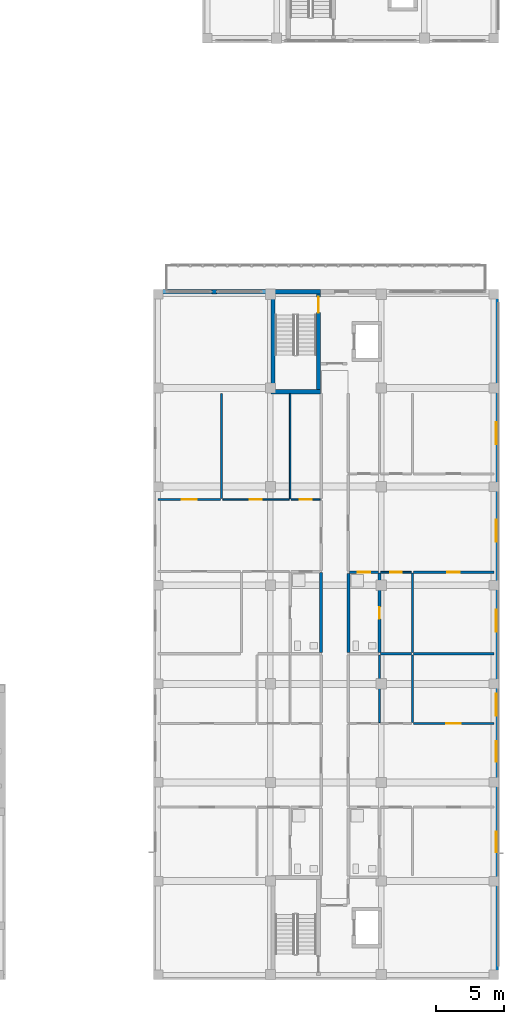
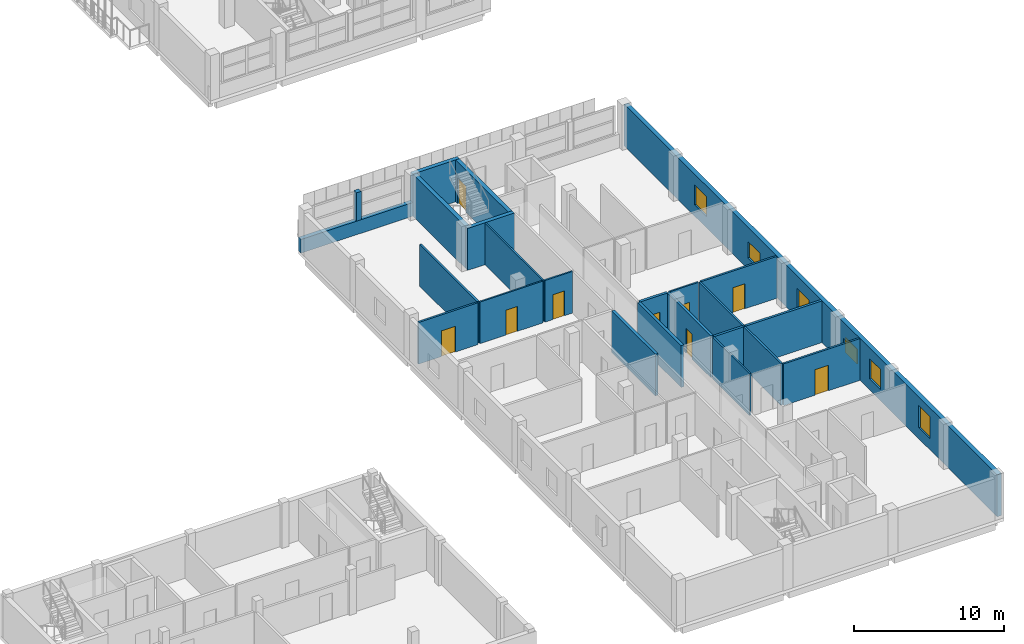
# One storey, part 48 of 73: 24 walls, 9 doors, 6 windows, 15 openings.
"""IFC4 building model written with IfcOpenShell, lengths in metres."""

from ifc_helpers import new_model, si_unit, derived_unit, direction, frame, frame_2d, origin, place, context, subcontext, project, spatial, rectangle, extrude, material, layer, layer_set, type_object, element, fill, save


model = new_model("IFC4")

# Units and contexts
model_context = context("Model", 3, precision=1e-05, world=origin(), true_north=direction((0.0, 1.0)))
body_context = subcontext(model_context, "Body", "Model", "MODEL_VIEW")
ifc_project = project(units=[si_unit("LENGTHUNIT", "METRE"), si_unit("AREAUNIT", "SQUARE_METRE"), si_unit("VOLUMEUNIT", "CUBIC_METRE"), si_unit("PLANEANGLEUNIT", "RADIAN"), si_unit("MASSUNIT", "GRAM", prefix="KILO"), derived_unit("THERMALTRANSMITTANCEUNIT", [(si_unit("MASSUNIT", "GRAM", prefix="KILO"), 1), (si_unit("TIMEUNIT", "SECOND"), -3), (si_unit("THERMODYNAMICTEMPERATUREUNIT", "KELVIN"), -1)])], contexts=[model_context])

# Site, building, storey
site_placement = place(None, origin())
site = spatial("IfcSite", under=ifc_project, at=site_placement, CompositionType="ELEMENT")
building_placement = place(site_placement, origin())
building = spatial("IfcBuilding", under=site, at=building_placement, Name="Ochrekiln Boulevard Commons", CompositionType="ELEMENT")
storey_placement = place(building_placement, frame((0.0, 0.0, 4.89990234375)))
storey = spatial("IfcBuildingStorey", under=building, at=storey_placement, Name="L01", CompositionType="ELEMENT", Elevation=4.89990234375)

# Wall, openings, windows
ifc_material_1 = material(Name="Desert ochre clinker brick masonry ASTM C216 Grade SW", Category="masonry")
ifc_layer_1 = layer(ifc_material_1, 0.330078125)
ifc_layer_set_1 = layer_set([ifc_layer_1], Name="Desert ochre clinker brick masonry ASTM C216 Grade SW")
wall_type_1 = type_object("IfcWallType", Name="WL-EXT-OCHRE-330", PredefinedType="SOLIDWALL", material=ifc_layer_set_1)
wall_1_placement = place(storey_placement, frame((172.635009765625, 0.330078125, 0.0), z_axis=(0.0, 0.0, 1.0), x_axis=(0.0, 1.0, 0.0)))
wall_1 = element("IfcWall", 1, at=wall_1_placement, inside=storey, type_object=wall_type_1, Name="Block C L01 E Exterior Wall", PredefinedType="SOLIDWALL", context=body_context, shape_type="SweptSolid", body=[
    extrude(rectangle(XDim=49.739990234375, YDim=0.330078125, at=frame_2d((24.8701171875, 0.0))), origin(), (0.0, 0.0, 1.0), 3.4150390625),
])
opening_1_placement = place(wall_1_placement, frame((15.580078125, 0.0, 0.89990234375)))
opening_1 = element("IfcOpeningElement", 2, at=opening_1_placement, cuts=wall_1, Name="Opening W-29", PredefinedType="OPENING", context=body_context, shape_type="SweptSolid", body=[
    extrude(rectangle(XDim=1.47998046875, YDim=1.64990234375, at=frame_2d((0.739990234375, 0.824951171875))), frame((0.0, 0.175048828125, 0.0), z_axis=(0.0, -1.0, 0.0), x_axis=(1.0, 0.0, 0.0)), (0.0, 0.0, 1.0), 0.35009765625),
])
opening_2_placement = place(wall_1_placement, frame((8.986083984375, 0.0, 0.89990234375)))
opening_2 = element("IfcOpeningElement", 3, at=opening_2_placement, cuts=wall_1, Name="Opening W-30", PredefinedType="OPENING", context=body_context, shape_type="SweptSolid", body=[
    extrude(rectangle(XDim=1.47998046875, YDim=1.800048828125, at=frame_2d((0.739990234375, 0.89990234375))), frame((0.0, 0.175048828125, 0.0), z_axis=(0.0, -1.0, 0.0), x_axis=(1.0, 0.0, 0.0)), (0.0, 0.0, 1.0), 0.35009765625),
])
opening_3_placement = place(wall_1_placement, frame((18.929931640625, 0.0, 0.89990234375)))
opening_3 = element("IfcOpeningElement", 4, at=opening_3_placement, cuts=wall_1, Name="Opening W-31", PredefinedType="OPENING", context=body_context, shape_type="SweptSolid", body=[
    extrude(rectangle(XDim=1.60009765625, YDim=1.199951171875, at=frame_2d((0.800048828125, 0.60009765625))), frame((0.0, 0.175048828125, 0.0), z_axis=(0.0, -1.0, 0.0), x_axis=(1.0, 0.0, 0.0)), (0.0, 0.0, 1.0), 0.35009765625),
])
opening_4_placement = place(wall_1_placement, frame((31.64794921875, 0.0, 0.89990234375)))
opening_4 = element("IfcOpeningElement", 5, at=opening_4_placement, cuts=wall_1, Name="Opening W-32", PredefinedType="OPENING", context=body_context, shape_type="SweptSolid", body=[
    extrude(rectangle(XDim=1.60009765625, YDim=1.35009765625, at=frame_2d((0.800048828125, 0.675048828125))), frame((0.0, 0.175048828125, 0.0), z_axis=(0.0, -1.0, 0.0), x_axis=(1.0, 0.0, 0.0)), (0.0, 0.0, 1.0), 0.35009765625),
])
opening_5_placement = place(wall_1_placement, frame((25.075927734375, 0.0, 0.89990234375)))
opening_5 = element("IfcOpeningElement", 6, at=opening_5_placement, cuts=wall_1, Name="Opening W-33", PredefinedType="OPENING", context=body_context, shape_type="SweptSolid", body=[
    extrude(rectangle(XDim=1.60009765625, YDim=1.5, at=frame_2d((0.800048828125, 0.75))), frame((0.0, 0.175048828125, 0.0), z_axis=(0.0, -1.0, 0.0), x_axis=(1.0, 0.0, 0.0)), (0.0, 0.0, 1.0), 0.35009765625),
])
opening_6_placement = place(wall_1_placement, frame((38.778076171875, 0.0, 0.89990234375)))
opening_6 = element("IfcOpeningElement", 7, at=opening_6_placement, cuts=wall_1, Name="Opening W-34", PredefinedType="OPENING", context=body_context, shape_type="SweptSolid", body=[
    extrude(rectangle(XDim=1.60009765625, YDim=1.64990234375, at=frame_2d((0.800048828125, 0.824951171875))), frame((0.0, 0.175048828125, 0.0), z_axis=(0.0, -1.0, 0.0), x_axis=(1.0, 0.0, 0.0)), (0.0, 0.0, 1.0), 0.35009765625),
])
ifc_material_2 = material(Name="Thermally broken aluminium-clad oak frame", Category="aluminium")
window_type_1 = type_object("IfcWindowType", Name="WIN-EXT-29", PartitioningType="SINGLE_PANEL", PredefinedType="WINDOW", material=ifc_material_2)
window_1_placement = place(opening_1_placement, origin())
window_1 = element("IfcWindow", 8, at=window_1_placement, inside=storey, type_object=window_type_1, Name="Block C L01 Punched Masonry Window W-29", OverallHeight=1.64990234375, OverallWidth=1.47998046875, PartitioningType="SINGLE_PANEL", PredefinedType="WINDOW", context=body_context, shape_type="SweptSolid", body=[
    extrude(rectangle(XDim=1.47998046875, YDim=1.64990234375, at=frame_2d((0.739990234375, 0.824951171875))), frame((0.0, 0.030029296875, 0.0), z_axis=(0.0, -1.0, 0.0), x_axis=(1.0, 0.0, 0.0)), (0.0, 0.0, 1.0), 0.06005859375),
])
fill(opening_1, window_1)
window_type_2 = type_object("IfcWindowType", Name="WIN-EXT-30", PartitioningType="SINGLE_PANEL", PredefinedType="WINDOW", material=ifc_material_2)
window_2_placement = place(opening_2_placement, origin())
window_2 = element("IfcWindow", 9, at=window_2_placement, inside=storey, type_object=window_type_2, Name="Block C L01 Punched Masonry Window W-30", OverallHeight=1.800048828125, OverallWidth=1.47998046875, PartitioningType="SINGLE_PANEL", PredefinedType="WINDOW", context=body_context, shape_type="SweptSolid", body=[
    extrude(rectangle(XDim=1.47998046875, YDim=1.800048828125, at=frame_2d((0.739990234375, 0.89990234375))), frame((0.0, 0.030029296875, 0.0), z_axis=(0.0, -1.0, 0.0), x_axis=(1.0, 0.0, 0.0)), (0.0, 0.0, 1.0), 0.06005859375),
])
fill(opening_2, window_2)
window_type_3 = type_object("IfcWindowType", Name="WIN-EXT-31", PartitioningType="DOUBLE_PANEL_VERTICAL", PredefinedType="WINDOW", material=ifc_material_2)
window_3_placement = place(opening_3_placement, origin())
window_3 = element("IfcWindow", 10, at=window_3_placement, inside=storey, type_object=window_type_3, Name="Block C L01 Punched Masonry Window W-31", OverallHeight=1.199951171875, OverallWidth=1.60009765625, PartitioningType="DOUBLE_PANEL_VERTICAL", PredefinedType="WINDOW", context=body_context, shape_type="SweptSolid", body=[
    extrude(rectangle(XDim=1.60009765625, YDim=1.199951171875, at=frame_2d((0.800048828125, 0.60009765625))), frame((0.0, 0.030029296875, 0.0), z_axis=(0.0, -1.0, 0.0), x_axis=(1.0, 0.0, 0.0)), (0.0, 0.0, 1.0), 0.06005859375),
])
fill(opening_3, window_3)
window_type_4 = type_object("IfcWindowType", Name="WIN-EXT-32", PartitioningType="DOUBLE_PANEL_VERTICAL", PredefinedType="WINDOW", material=ifc_material_2)
window_4_placement = place(opening_4_placement, origin())
window_4 = element("IfcWindow", 11, at=window_4_placement, inside=storey, type_object=window_type_4, Name="Block C L01 Punched Masonry Window W-32", OverallHeight=1.35009765625, OverallWidth=1.60009765625, PartitioningType="DOUBLE_PANEL_VERTICAL", PredefinedType="WINDOW", context=body_context, shape_type="SweptSolid", body=[
    extrude(rectangle(XDim=1.60009765625, YDim=1.35009765625, at=frame_2d((0.800048828125, 0.675048828125))), frame((0.0, 0.030029296875, 0.0), z_axis=(0.0, -1.0, 0.0), x_axis=(1.0, 0.0, 0.0)), (0.0, 0.0, 1.0), 0.06005859375),
])
fill(opening_4, window_4)
window_type_5 = type_object("IfcWindowType", Name="WIN-EXT-33", PartitioningType="DOUBLE_PANEL_VERTICAL", PredefinedType="WINDOW", material=ifc_material_2)
window_5_placement = place(opening_5_placement, origin())
window_5 = element("IfcWindow", 12, at=window_5_placement, inside=storey, type_object=window_type_5, Name="Block C L01 Punched Masonry Window W-33", OverallHeight=1.5, OverallWidth=1.60009765625, PartitioningType="DOUBLE_PANEL_VERTICAL", PredefinedType="WINDOW", context=body_context, shape_type="SweptSolid", body=[
    extrude(rectangle(XDim=1.60009765625, YDim=1.5, at=frame_2d((0.800048828125, 0.75))), frame((0.0, 0.030029296875, 0.0), z_axis=(0.0, -1.0, 0.0), x_axis=(1.0, 0.0, 0.0)), (0.0, 0.0, 1.0), 0.06005859375),
])
fill(opening_5, window_5)
window_type_6 = type_object("IfcWindowType", Name="WIN-EXT-34", PartitioningType="DOUBLE_PANEL_VERTICAL", PredefinedType="WINDOW", material=ifc_material_2)
window_6_placement = place(opening_6_placement, origin())
window_6 = element("IfcWindow", 13, at=window_6_placement, inside=storey, type_object=window_type_6, Name="Block C L01 Punched Masonry Window W-34", OverallHeight=1.64990234375, OverallWidth=1.60009765625, PartitioningType="DOUBLE_PANEL_VERTICAL", PredefinedType="WINDOW", context=body_context, shape_type="SweptSolid", body=[
    extrude(rectangle(XDim=1.60009765625, YDim=1.64990234375, at=frame_2d((0.800048828125, 0.824951171875))), frame((0.0, 0.030029296875, 0.0), z_axis=(0.0, -1.0, 0.0), x_axis=(1.0, 0.0, 0.0)), (0.0, 0.0, 1.0), 0.06005859375),
])
fill(opening_6, window_6)

# Walls
wall_2_placement = place(storey_placement, frame((151.8701171875, 50.235107421875, 1.110107421875), z_axis=(0.0, 0.0, 1.0), x_axis=(1.0, 0.0, 0.0)))
element("IfcWall", 14, at=wall_2_placement, inside=storey, type_object=wall_type_1, Name="Block C L01 Courtyard Gable Mullion Pier", PredefinedType="SOLIDWALL", context=body_context, shape_type="SweptSolid", body=[
    extrude(rectangle(XDim=0.35986328125, YDim=0.330078125, at=frame_2d((0.179931640625, 0.0))), origin(), (0.0, 0.0, 1.0), 2.304931640625),
])
wall_3_placement = place(storey_placement, frame((147.60009765625, 50.235107421875, 0.0), z_axis=(0.0, 0.0, 1.0), x_axis=(1.0, 0.0, 0.0)))
element("IfcWall", 15, at=wall_3_placement, inside=storey, type_object=wall_type_1, Name="Block C L01 Courtyard Gable Sill Wall L", PredefinedType="SOLIDWALL", context=body_context, shape_type="SweptSolid", body=[
    extrude(rectangle(XDim=8.599853515625, YDim=0.330078125, at=frame_2d((4.2998046875, 0.0))), origin(), (0.0, 0.0, 1.0), 1.110107421875),
])

# Wall, opening, door
ifc_material_3 = material(Name="Moisture-resistant cementitious tile backer wall")
ifc_layer_2 = layer(ifc_material_3, 0.199951171875)
ifc_layer_set_2 = layer_set([ifc_layer_2], Name="Moisture-resistant cementitious tile backer wall")
wall_type_2 = type_object("IfcWallType", Name="WL-PLM-200", PredefinedType="PLUMBINGWALL", material=ifc_layer_set_2)
wall_4_placement = place(storey_placement, frame((161.923095703125, 29.7470703125, 0.0), z_axis=(0.0, 0.0, 1.0), x_axis=(1.0, 0.0, 0.0)))
wall_4 = element("IfcWall", 16, at=wall_4_placement, inside=storey, type_object=wall_type_2, Name="L01 Interior Wall W-PW200", PredefinedType="PLUMBINGWALL", context=body_context, shape_type="SweptSolid", body=[
    extrude(rectangle(XDim=2.10693359375, YDim=0.199951171875, at=frame_2d((1.053466796875, 0.0))), origin(), (0.0, 0.0, 1.0), 3.39501953125),
])
opening_7_placement = place(wall_4_placement, frame((0.612060546875, 0.0, 0.0)))
opening_7 = element("IfcOpeningElement", 17, at=opening_7_placement, cuts=wall_4, Name="Opening D-L01-234", PredefinedType="OPENING", context=body_context, shape_type="SweptSolid", body=[
    extrude(rectangle(XDim=0.889892578125, YDim=2.030029296875, at=frame_2d((0.44482421875, 1.01513671875))), frame((0.0, 0.10986328125, 0.0), z_axis=(0.0, -1.0, 0.0), x_axis=(1.0, 0.0, 0.0)), (0.0, 0.0, 1.0), 0.219970703125),
])
ifc_material_4 = material(Name="Solid core architectural oak door leaf")
door_type_1 = type_object("IfcDoorType", Name="DR-INT-BTH-089", OperationType="NOTDEFINED", PredefinedType="DOOR", material=ifc_material_4)
door_1_placement = place(opening_7_placement, frame((0.889892578125, 0.0, 0.0), z_axis=(0.0, 0.0, 1.0), x_axis=(-1.0, 0.0, 0.0)))
door_1 = element("IfcDoor", 18, at=door_1_placement, inside=storey, type_object=door_type_1, Name="L01 Interior Door to Apartment Bathroom", OperationType="SINGLE_SWING_RIGHT", OverallHeight=2.030029296875, OverallWidth=0.889892578125, PredefinedType="DOOR", context=body_context, shape_type="SweptSolid", body=[
    extrude(rectangle(XDim=0.889892578125, YDim=2.030029296875, at=frame_2d((0.44482421875, 1.01513671875))), frame((0.0, 0.02490234375, 0.0), z_axis=(0.0, -1.0, 0.0), x_axis=(1.0, 0.0, 0.0)), (0.0, 0.0, 1.0), 0.050048828125),
])
fill(opening_7, door_1)

wall_5_placement = place(storey_placement, frame((164.110107421875, 23.882080078125, 0.0), z_axis=(0.0, 0.0, 1.0), x_axis=(0.0, 1.0, 0.0)))
wall_5 = element("IfcWall", 19, at=wall_5_placement, inside=storey, type_object=wall_type_2, Name="L01 Interior Wall W-PW200", PredefinedType="PLUMBINGWALL", context=body_context, shape_type="SweptSolid", body=[
    extrude(rectangle(XDim=5.804931640625, YDim=0.199951171875, at=frame_2d((2.90234375, 0.0))), origin(), (0.0, 0.0, 1.0), 3.39501953125),
])
opening_8_placement = place(wall_5_placement, frame((2.468017578125, 0.0, 0.0)))
opening_8 = element("IfcOpeningElement", 20, at=opening_8_placement, cuts=wall_5, Name="Opening D-L01-240", PredefinedType="OPENING", context=body_context, shape_type="SweptSolid", body=[
    extrude(rectangle(XDim=0.85009765625, YDim=2.010009765625, at=frame_2d((0.425048828125, 1.0048828125))), frame((0.0, 0.10986328125, 0.0), z_axis=(0.0, -1.0, 0.0), x_axis=(1.0, 0.0, 0.0)), (0.0, 0.0, 1.0), 0.219970703125),
])
door_type_2 = type_object("IfcDoorType", Name="DR-INT-KIT-085", OperationType="NOTDEFINED", PredefinedType="DOOR", material=ifc_material_4)
door_2_placement = place(opening_8_placement, origin())
door_2 = element("IfcDoor", 21, at=door_2_placement, inside=storey, type_object=door_type_2, Name="L01 Interior Door to Apartment Bathroom", OperationType="SINGLE_SWING_RIGHT", OverallHeight=2.010009765625, OverallWidth=0.85009765625, PredefinedType="DOOR", context=body_context, shape_type="SweptSolid", body=[
    extrude(rectangle(XDim=0.85009765625, YDim=2.010009765625, at=frame_2d((0.425048828125, 1.0048828125))), frame((0.0, 0.02490234375, 0.0), z_axis=(0.0, -1.0, 0.0), x_axis=(1.0, 0.0, 0.0)), (0.0, 0.0, 1.0), 0.050048828125),
])
fill(opening_8, door_2)

# Walls
ifc_layer_3 = layer(ifc_material_3, 0.219970703125)
ifc_layer_set_3 = layer_set([ifc_layer_3], Name="Moisture-resistant cementitious tile backer wall")
wall_type_3 = type_object("IfcWallType", Name="WL-PLM-220", PredefinedType="PLUMBINGWALL", material=ifc_layer_set_3)
wall_6_placement = place(storey_placement, frame((159.860107421875, 23.882080078125, 0.0), z_axis=(0.0, 0.0, 1.0), x_axis=(0.0, 1.0, 0.0)))
element("IfcWall", 22, at=wall_6_placement, inside=storey, type_object=wall_type_3, Name="L01 Interior Wall W-PW220", PredefinedType="PLUMBINGWALL", context=body_context, shape_type="SweptSolid", body=[
    extrude(rectangle(XDim=5.829833984375, YDim=0.219970703125, at=frame_2d((2.9150390625, 0.0))), origin(), (0.0, 0.0, 1.0), 3.39501953125),
])
wall_7_placement = place(storey_placement, frame((161.840087890625, 23.882080078125, 0.0), z_axis=(0.0, 0.0, 1.0), x_axis=(0.0, 1.0, 0.0)))
element("IfcWall", 23, at=wall_7_placement, inside=storey, type_object=wall_type_3, Name="L01 Interior Wall W-PW220", PredefinedType="PLUMBINGWALL", context=body_context, shape_type="SweptSolid", body=[
    extrude(rectangle(XDim=5.784912109375, YDim=0.219970703125, at=frame_2d((2.892578125, 0.0))), origin(), (0.0, 0.0, 1.0), 3.39501953125),
])
ifc_material_5 = material(Name="Fire-rated Type X gypsum board on steel studs", Category="steel")
ifc_layer_4 = layer(ifc_material_5, 0.179931640625)
ifc_layer_set_4 = layer_set([ifc_layer_4], Name="Fire-rated Type X gypsum board on steel studs")
wall_type_4 = type_object("IfcWallType", Name="WL-PT-DEM-180", PredefinedType="PARTITIONING", material=ifc_layer_set_4)
wall_8_placement = place(storey_placement, frame((166.60009765625, 23.7919921875, 0.0), z_axis=(0.0, 0.0, 1.0), x_axis=(1.0, 0.0, 0.0)))
element("IfcWall", 24, at=wall_8_placement, inside=storey, type_object=wall_type_4, Name="L01 Interior Wall W-PD180", PredefinedType="PARTITIONING", context=body_context, shape_type="SweptSolid", body=[
    extrude(rectangle(XDim=5.869873046875, YDim=0.179931640625, at=frame_2d((2.93505859375, 0.0))), origin(), (0.0, 0.0, 1.0), 3.39501953125),
])
wall_9_placement = place(storey_placement, frame((164.169921875, 23.7919921875, 0.0), z_axis=(0.0, 0.0, 1.0), x_axis=(1.0, 0.0, 0.0)))
element("IfcWall", 25, at=wall_9_placement, inside=storey, type_object=wall_type_4, Name="L01 Interior Wall W-PD180", PredefinedType="PARTITIONING", context=body_context, shape_type="SweptSolid", body=[
    extrude(rectangle(XDim=2.275146484375, YDim=0.179931640625, at=frame_2d((1.1376953125, 0.0))), origin(), (0.0, 0.0, 1.0), 3.39501953125),
])

# Wall, opening, door
ifc_layer_5 = layer(ifc_material_5, 0.1201171875)
ifc_layer_set_5 = layer_set([ifc_layer_5], Name="Fire-rated Type X gypsum board on steel studs")
wall_type_5 = type_object("IfcWallType", Name="WL-PT-LGT-120", PredefinedType="PARTITIONING", material=ifc_layer_set_5)
wall_10_placement = place(storey_placement, frame((157.669921875, 35.050048828125, 0.0), z_axis=(0.0, 0.0, 1.0), x_axis=(1.0, 0.0, 0.0)))
wall_10 = element("IfcWall", 26, at=wall_10_placement, inside=storey, type_object=wall_type_5, Name="L01 Interior Wall W-PL120", PredefinedType="PARTITIONING", context=body_context, shape_type="SweptSolid", body=[
    extrude(rectangle(XDim=2.108154296875, YDim=0.1201171875, at=frame_2d((1.05419921875, 0.0))), origin(), (0.0, 0.0, 1.0), 3.39501953125),
])
opening_9_placement = place(wall_10_placement, frame((0.610107421875, 0.0, 0.0)))
opening_9 = element("IfcOpeningElement", 27, at=opening_9_placement, cuts=wall_10, Name="Opening D-L01-221", PredefinedType="OPENING", context=body_context, shape_type="SweptSolid", body=[
    extrude(rectangle(XDim=0.8798828125, YDim=2.02001953125, at=frame_2d((0.43994140625, 1.010009765625))), frame((0.0, 0.070068359375, 0.0), z_axis=(0.0, -1.0, 0.0), x_axis=(1.0, 0.0, 0.0)), (0.0, 0.0, 1.0), 0.14013671875),
])
door_type_3 = type_object("IfcDoorType", Name="DR-INT-KIT-088", OperationType="NOTDEFINED", PredefinedType="DOOR", material=ifc_material_4)
door_3_placement = place(opening_9_placement, origin())
door_3 = element("IfcDoor", 28, at=door_3_placement, inside=storey, type_object=door_type_3, Name="L01 Interior Door to Apartment Kitchen", OperationType="SINGLE_SWING_LEFT", OverallHeight=2.02001953125, OverallWidth=0.8798828125, PredefinedType="DOOR", context=body_context, shape_type="SweptSolid", body=[
    extrude(rectangle(XDim=0.8798828125, YDim=2.02001953125, at=frame_2d((0.43994140625, 1.010009765625))), frame((0.0, 0.02490234375, 0.0), z_axis=(0.0, -1.0, 0.0), x_axis=(1.0, 0.0, 0.0)), (0.0, 0.0, 1.0), 0.050048828125),
])
fill(opening_9, door_3)

wall_11_placement = place(storey_placement, frame((152.673095703125, 35.050048828125, 0.0), z_axis=(0.0, 0.0, 1.0), x_axis=(1.0, 0.0, 0.0)))
wall_11 = element("IfcWall", 29, at=wall_11_placement, inside=storey, type_object=wall_type_5, Name="L01 Interior Wall W-PL120", PredefinedType="PARTITIONING", context=body_context, shape_type="SweptSolid", body=[
    extrude(rectangle(XDim=4.8369140625, YDim=0.1201171875, at=frame_2d((2.41845703125, 0.0))), origin(), (0.0, 0.0, 1.0), 3.39501953125),
])
opening_10_placement = place(wall_11_placement, frame((1.97802734375, 0.0, 0.0)))
opening_10 = element("IfcOpeningElement", 30, at=opening_10_placement, cuts=wall_11, Name="Opening D-L01-225", PredefinedType="OPENING", context=body_context, shape_type="SweptSolid", body=[
    extrude(rectangle(XDim=0.8798828125, YDim=2.02001953125, at=frame_2d((0.43994140625, 1.010009765625))), frame((0.0, 0.070068359375, 0.0), z_axis=(0.0, -1.0, 0.0), x_axis=(1.0, 0.0, 0.0)), (0.0, 0.0, 1.0), 0.14013671875),
])
door_4_placement = place(opening_10_placement, origin())
door_4 = element("IfcDoor", 31, at=door_4_placement, inside=storey, type_object=door_type_3, Name="L01 Interior Door to Apartment Walk-In Wardrobe", OperationType="SINGLE_SWING_LEFT", OverallHeight=2.02001953125, OverallWidth=0.8798828125, PredefinedType="DOOR", context=body_context, shape_type="SweptSolid", body=[
    extrude(rectangle(XDim=0.8798828125, YDim=2.02001953125, at=frame_2d((0.43994140625, 1.010009765625))), frame((0.0, 0.02490234375, 0.0), z_axis=(0.0, -1.0, 0.0), x_axis=(1.0, 0.0, 0.0)), (0.0, 0.0, 1.0), 0.050048828125),
])
fill(opening_10, door_4)

# Walls
wall_12_placement = place(storey_placement, frame((157.590087890625, 35.110107421875, 0.0), z_axis=(0.0, 0.0, 1.0), x_axis=(0.0, 1.0, 0.0)))
element("IfcWall", 32, at=wall_12_placement, inside=storey, type_object=wall_type_5, Name="L01 Interior Wall W-PL120", PredefinedType="PARTITIONING", context=body_context, shape_type="SweptSolid", body=[
    extrude(rectangle(XDim=7.68994140625, YDim=0.1201171875, at=frame_2d((3.844970703125, 0.0))), origin(), (0.0, 0.0, 1.0), 3.39501953125),
])
wall_13_placement = place(storey_placement, frame((164.110107421875, 18.77001953125, 0.0), z_axis=(0.0, 0.0, 1.0), x_axis=(0.0, 1.0, 0.0)))
element("IfcWall", 33, at=wall_13_placement, inside=storey, type_object=wall_type_5, Name="L01 Interior Wall W-PL120", PredefinedType="PARTITIONING", context=body_context, shape_type="SweptSolid", body=[
    extrude(rectangle(XDim=4.931884765625, YDim=0.1201171875, at=frame_2d((2.4658203125, 0.0))), origin(), (0.0, 0.0, 1.0), 3.39501953125),
])

# Wall, opening, door
wall_14_placement = place(storey_placement, frame((164.18994140625, 29.7470703125, 0.0), z_axis=(0.0, 0.0, 1.0), x_axis=(1.0, 0.0, 0.0)))
wall_14 = element("IfcWall", 34, at=wall_14_placement, inside=storey, type_object=wall_type_5, Name="L01 Interior Wall W-PL120", PredefinedType="PARTITIONING", context=body_context, shape_type="SweptSolid", body=[
    extrude(rectangle(XDim=2.25, YDim=0.1201171875, at=frame_2d((1.125, 0.0))), origin(), (0.0, 0.0, 1.0), 3.39501953125),
])
opening_11_placement = place(wall_14_placement, frame((0.699951171875, 0.0, 0.0)))
opening_11 = element("IfcOpeningElement", 35, at=opening_11_placement, cuts=wall_14, Name="Opening D-L01-237", PredefinedType="OPENING", context=body_context, shape_type="SweptSolid", body=[
    extrude(rectangle(XDim=0.85009765625, YDim=2.010009765625, at=frame_2d((0.425048828125, 1.0048828125))), frame((0.0, 0.070068359375, 0.0), z_axis=(0.0, -1.0, 0.0), x_axis=(1.0, 0.0, 0.0)), (0.0, 0.0, 1.0), 0.14013671875),
])
door_5_placement = place(opening_11_placement, frame((0.85009765625, 0.0, 0.0), z_axis=(0.0, 0.0, 1.0), x_axis=(-1.0, 0.0, 0.0)))
door_5 = element("IfcDoor", 36, at=door_5_placement, inside=storey, type_object=door_type_2, Name="L01 Interior Door to Apartment Walk-In Wardrobe", OperationType="SINGLE_SWING_LEFT", OverallHeight=2.010009765625, OverallWidth=0.85009765625, PredefinedType="DOOR", context=body_context, shape_type="SweptSolid", body=[
    extrude(rectangle(XDim=0.85009765625, YDim=2.010009765625, at=frame_2d((0.425048828125, 1.0048828125))), frame((0.0, 0.02490234375, 0.0), z_axis=(0.0, -1.0, 0.0), x_axis=(1.0, 0.0, 0.0)), (0.0, 0.0, 1.0), 0.050048828125),
])
fill(opening_11, door_5)

ifc_layer_6 = layer(ifc_material_5, 0.14990234375)
ifc_layer_set_6 = layer_set([ifc_layer_6], Name="Fire-rated Type X gypsum board on steel studs")
wall_type_6 = type_object("IfcWallType", Name="WL-PT-STD-150", PredefinedType="PARTITIONING", material=ifc_layer_set_6)
wall_15_placement = place(storey_placement, frame((147.929931640625, 35.050048828125, 0.0), z_axis=(0.0, 0.0, 1.0), x_axis=(1.0, 0.0, 0.0)))
wall_15 = element("IfcWall", 37, at=wall_15_placement, inside=storey, type_object=wall_type_6, Name="L01 Interior Wall W-PS150", PredefinedType="PARTITIONING", context=body_context, shape_type="SweptSolid", body=[
    extrude(rectangle(XDim=4.5830078125, YDim=0.14990234375, at=frame_2d((2.29150390625, 0.0))), origin(), (0.0, 0.0, 1.0), 3.39501953125),
])
opening_12_placement = place(wall_15_placement, frame((1.760986328125, 0.0, 0.0)))
opening_12 = element("IfcOpeningElement", 38, at=opening_12_placement, cuts=wall_15, Name="Opening D-L01-224", PredefinedType="OPENING", context=body_context, shape_type="SweptSolid", body=[
    extrude(rectangle(XDim=1.080078125, YDim=2.10009765625, at=frame_2d((0.5400390625, 1.050048828125))), frame((0.0, 0.0849609375, 0.0), z_axis=(0.0, -1.0, 0.0), x_axis=(1.0, 0.0, 0.0)), (0.0, 0.0, 1.0), 0.169921875),
])
door_type_4 = type_object("IfcDoorType", Name="DR-INT-BED-108", OperationType="NOTDEFINED", PredefinedType="DOOR", material=ifc_material_4)
door_6_placement = place(opening_12_placement, origin())
door_6 = element("IfcDoor", 39, at=door_6_placement, inside=storey, type_object=door_type_4, Name="L01 Interior Door to Secondary Apartment Bedroom", OperationType="SINGLE_SWING_RIGHT", OverallHeight=2.10009765625, OverallWidth=1.080078125, PredefinedType="DOOR", context=body_context, shape_type="SweptSolid", body=[
    extrude(rectangle(XDim=1.080078125, YDim=2.10009765625, at=frame_2d((0.5400390625, 1.050048828125))), frame((0.0, 0.02490234375, 0.0), z_axis=(0.0, -1.0, 0.0), x_axis=(1.0, 0.0, 0.0)), (0.0, 0.0, 1.0), 0.050048828125),
])
fill(opening_12, door_6)

# Wall
wall_16_placement = place(storey_placement, frame((152.593017578125, 35.125, 0.0), z_axis=(0.0, 0.0, 1.0), x_axis=(0.0, 1.0, 0.0)))
element("IfcWall", 40, at=wall_16_placement, inside=storey, type_object=wall_type_6, Name="L01 Interior Wall W-PS150", PredefinedType="PARTITIONING", context=body_context, shape_type="SweptSolid", body=[
    extrude(rectangle(XDim=7.675048828125, YDim=0.14990234375, at=frame_2d((3.83740234375, 0.0))), origin(), (0.0, 0.0, 1.0), 3.39501953125),
])

# Wall, opening, door
wall_17_placement = place(storey_placement, frame((166.60009765625, 18.7099609375, 0.0), z_axis=(0.0, 0.0, 1.0), x_axis=(1.0, 0.0, 0.0)))
wall_17 = element("IfcWall", 41, at=wall_17_placement, inside=storey, type_object=wall_type_6, Name="L01 Interior Wall W-PS150", PredefinedType="PARTITIONING", context=body_context, shape_type="SweptSolid", body=[
    extrude(rectangle(XDim=5.869873046875, YDim=0.14990234375, at=frame_2d((2.93505859375, 0.0))), origin(), (0.0, 0.0, 1.0), 3.39501953125),
])
opening_13_placement = place(wall_17_placement, frame((2.405029296875, 0.0, 0.0)))
opening_13 = element("IfcOpeningElement", 42, at=opening_13_placement, cuts=wall_17, Name="Opening D-L01-231", PredefinedType="OPENING", context=body_context, shape_type="SweptSolid", body=[
    extrude(rectangle(XDim=1.0400390625, YDim=2.080078125, at=frame_2d((0.52001953125, 1.0400390625))), frame((0.0, 0.0849609375, 0.0), z_axis=(0.0, -1.0, 0.0), x_axis=(1.0, 0.0, 0.0)), (0.0, 0.0, 1.0), 0.169921875),
])
door_type_5 = type_object("IfcDoorType", Name="DR-INT-BED-104", OperationType="NOTDEFINED", PredefinedType="DOOR", material=ifc_material_4)
door_7_placement = place(opening_13_placement, origin())
door_7 = element("IfcDoor", 43, at=door_7_placement, inside=storey, type_object=door_type_5, Name="L01 Interior Door to Secondary Apartment Bedroom", OperationType="SINGLE_SWING_LEFT", OverallHeight=2.080078125, OverallWidth=1.0400390625, PredefinedType="DOOR", context=body_context, shape_type="SweptSolid", body=[
    extrude(rectangle(XDim=1.0400390625, YDim=2.080078125, at=frame_2d((0.52001953125, 1.0400390625))), frame((0.0, 0.02490234375, 0.0), z_axis=(0.0, -1.0, 0.0), x_axis=(1.0, 0.0, 0.0)), (0.0, 0.0, 1.0), 0.050048828125),
])
fill(opening_13, door_7)

# Wall
wall_18_placement = place(storey_placement, frame((166.52001953125, 18.77001953125, 0.0), z_axis=(0.0, 0.0, 1.0), x_axis=(0.0, 1.0, 0.0)))
element("IfcWall", 44, at=wall_18_placement, inside=storey, type_object=wall_type_6, Name="L01 Interior Wall W-PS150", PredefinedType="PARTITIONING", context=body_context, shape_type="SweptSolid", body=[
    extrude(rectangle(XDim=4.931884765625, YDim=0.14990234375, at=frame_2d((2.4658203125, 0.0))), origin(), (0.0, 0.0, 1.0), 3.39501953125),
])

# Wall, opening, door
wall_19_placement = place(storey_placement, frame((166.60009765625, 29.7470703125, 0.0), z_axis=(0.0, 0.0, 1.0), x_axis=(1.0, 0.0, 0.0)))
wall_19 = element("IfcWall", 45, at=wall_19_placement, inside=storey, type_object=wall_type_6, Name="L01 Interior Wall W-PS150", PredefinedType="PARTITIONING", context=body_context, shape_type="SweptSolid", body=[
    extrude(rectangle(XDim=5.869873046875, YDim=0.14990234375, at=frame_2d((2.93505859375, 0.0))), origin(), (0.0, 0.0, 1.0), 3.39501953125),
])
opening_14_placement = place(wall_19_placement, frame((2.47509765625, 0.0, 0.0)))
opening_14 = element("IfcOpeningElement", 46, at=opening_14_placement, cuts=wall_19, Name="Opening D-L01-236", PredefinedType="OPENING", context=body_context, shape_type="SweptSolid", body=[
    extrude(rectangle(XDim=0.89990234375, YDim=2.0400390625, at=frame_2d((0.449951171875, 1.02001953125))), frame((0.0, 0.0849609375, 0.0), z_axis=(0.0, -1.0, 0.0), x_axis=(1.0, 0.0, 0.0)), (0.0, 0.0, 1.0), 0.169921875),
])
door_type_6 = type_object("IfcDoorType", Name="DR-INT-BED-090", OperationType="NOTDEFINED", PredefinedType="DOOR", material=ifc_material_4)
door_8_placement = place(opening_14_placement, frame((0.89990234375, 0.0, 0.0), z_axis=(0.0, 0.0, 1.0), x_axis=(-1.0, 0.0, 0.0)))
door_8 = element("IfcDoor", 47, at=door_8_placement, inside=storey, type_object=door_type_6, Name="L01 Interior Door to Primary Apartment Bedroom", OperationType="SINGLE_SWING_RIGHT", OverallHeight=2.0400390625, OverallWidth=0.89990234375, PredefinedType="DOOR", context=body_context, shape_type="SweptSolid", body=[
    extrude(rectangle(XDim=0.89990234375, YDim=2.0400390625, at=frame_2d((0.449951171875, 1.02001953125))), frame((0.0, 0.02490234375, 0.0), z_axis=(0.0, -1.0, 0.0), x_axis=(1.0, 0.0, 0.0)), (0.0, 0.0, 1.0), 0.050048828125),
])
fill(opening_14, door_8)

# Walls
wall_20_placement = place(storey_placement, frame((166.52001953125, 23.882080078125, 0.0), z_axis=(0.0, 0.0, 1.0), x_axis=(0.0, 1.0, 0.0)))
element("IfcWall", 48, at=wall_20_placement, inside=storey, type_object=wall_type_6, Name="L01 Interior Wall W-PS150", PredefinedType="PARTITIONING", context=body_context, shape_type="SweptSolid", body=[
    extrude(rectangle(XDim=5.804931640625, YDim=0.14990234375, at=frame_2d((2.90234375, 0.0))), origin(), (0.0, 0.0, 1.0), 3.39501953125),
])
ifc_material_6 = material(Name="Concrete C40/50", Category="concrete")
ifc_layer_7 = layer(ifc_material_6, 0.300048828125)
ifc_layer_set_7 = layer_set([ifc_layer_7], Name="Concrete C40/50")
wall_type_7 = type_object("IfcWallType", Name="WL-SH-300", PredefinedType="SHEAR", material=ifc_layer_set_7)
for number, where, z_axis, x_axis, name in (
    (49, (156.199951171875, 42.929931640625, 0.0), (0.0, 0.0, 1.0), (1.0, 0.0, 0.0), "Stair ST-C2 L01 Core Shear Wall S"),
    (50, (156.199951171875, 50.22998046875, 0.0), (0.0, 0.0, 1.0), (1.0, 0.0, 0.0), "Stair ST-C2 L01 Core Shear Wall N"),
):
    element("IfcWall", number, at=place(storey_placement, frame(where, z_axis=z_axis, x_axis=x_axis)), inside=storey, type_object=wall_type_7, Name=name, PredefinedType="SHEAR", context=body_context, shape_type="SweptSolid", body=[
        extrude(rectangle(XDim=3.60009765625, YDim=0.300048828125, at=frame_2d((1.800048828125, 0.0))), origin(), (0.0, 0.0, 1.0), 3.4150390625),
    ])
wall_21_placement = place(storey_placement, frame((156.35009765625, 43.080078125, 0.0), z_axis=(0.0, 0.0, 1.0), x_axis=(0.0, 1.0, 0.0)))
element("IfcWall", 51, at=wall_21_placement, inside=storey, type_object=wall_type_7, Name="Stair ST-C2 L01 Core Shear Wall W", PredefinedType="SHEAR", context=body_context, shape_type="SweptSolid", body=[
    extrude(rectangle(XDim=7.0, YDim=0.300048828125, at=frame_2d((3.5, 0.0))), origin(), (0.0, 0.0, 1.0), 3.4150390625),
])

# Wall, opening, door
wall_22_placement = place(storey_placement, frame((159.64990234375, 43.080078125, 0.0), z_axis=(0.0, 0.0, 1.0), x_axis=(0.0, 1.0, 0.0)))
wall_22 = element("IfcWall", 52, at=wall_22_placement, inside=storey, type_object=wall_type_7, Name="Stair ST-C2 L01 Core Shear Wall E", PredefinedType="SHEAR", context=body_context, shape_type="SweptSolid", body=[
    extrude(rectangle(XDim=7.0, YDim=0.300048828125, at=frame_2d((3.5, 0.0))), origin(), (0.0, 0.0, 1.0), 3.4150390625),
])
opening_15_placement = place(wall_22_placement, frame((5.625, 0.0, 0.0)))
opening_15 = element("IfcOpeningElement", 53, at=opening_15_placement, cuts=wall_22, Name="Opening D-L01-ST-C2", PredefinedType="OPENING", context=body_context, shape_type="SweptSolid", body=[
    extrude(rectangle(XDim=1.14990234375, YDim=2.1201171875, at=frame_2d((0.574951171875, 1.06005859375))), frame((0.0, 0.159912109375, 0.0), z_axis=(0.0, -1.0, 0.0), x_axis=(1.0, 0.0, 0.0)), (0.0, 0.0, 1.0), 0.320068359375),
])
ifc_material_7 = material(Name="Hollow metal fire-rated steel door assembly", Category="steel")
door_type_7 = type_object("IfcDoorType", Name="DR-STAIR-90", OperationType="NOTDEFINED", PredefinedType="DOOR", material=ifc_material_7)
door_9_placement = place(opening_15_placement, origin())
door_9 = element("IfcDoor", 54, at=door_9_placement, inside=storey, type_object=door_type_7, Name="Enclosed Exit Stair ST-C2 L01 Rated Door", OperationType="SINGLE_SWING_LEFT", OverallHeight=2.1201171875, OverallWidth=1.14990234375, PredefinedType="DOOR", context=body_context, shape_type="SweptSolid", body=[
    extrude(rectangle(XDim=1.14990234375, YDim=2.1201171875, at=frame_2d((0.574951171875, 1.06005859375))), frame((0.0, 0.02490234375, 0.0), z_axis=(0.0, -1.0, 0.0), x_axis=(1.0, 0.0, 0.0)), (0.0, 0.0, 1.0), 0.050048828125),
])
fill(opening_15, door_9)

save(model, "model.ifc")
